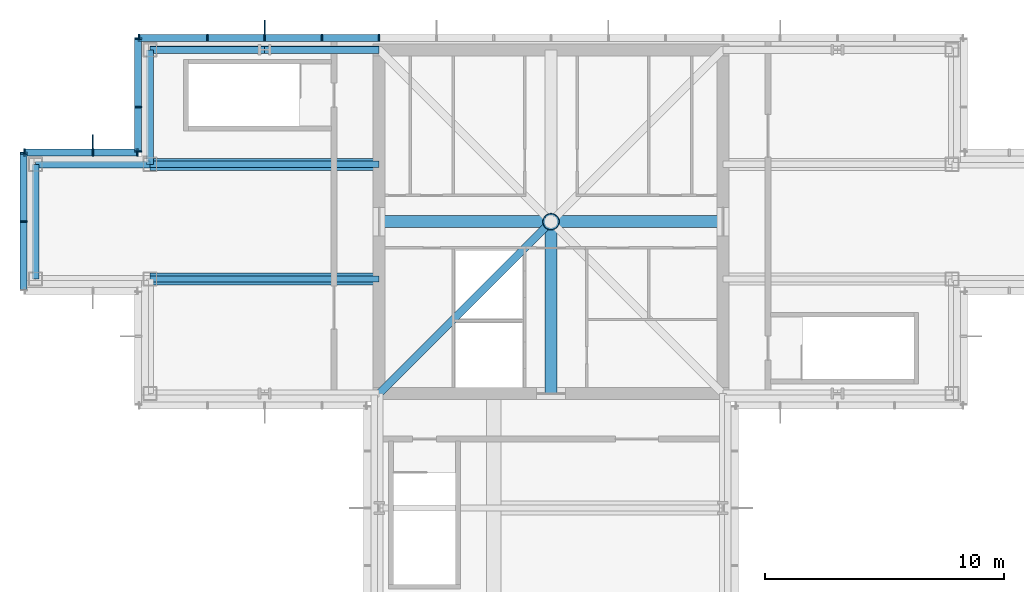
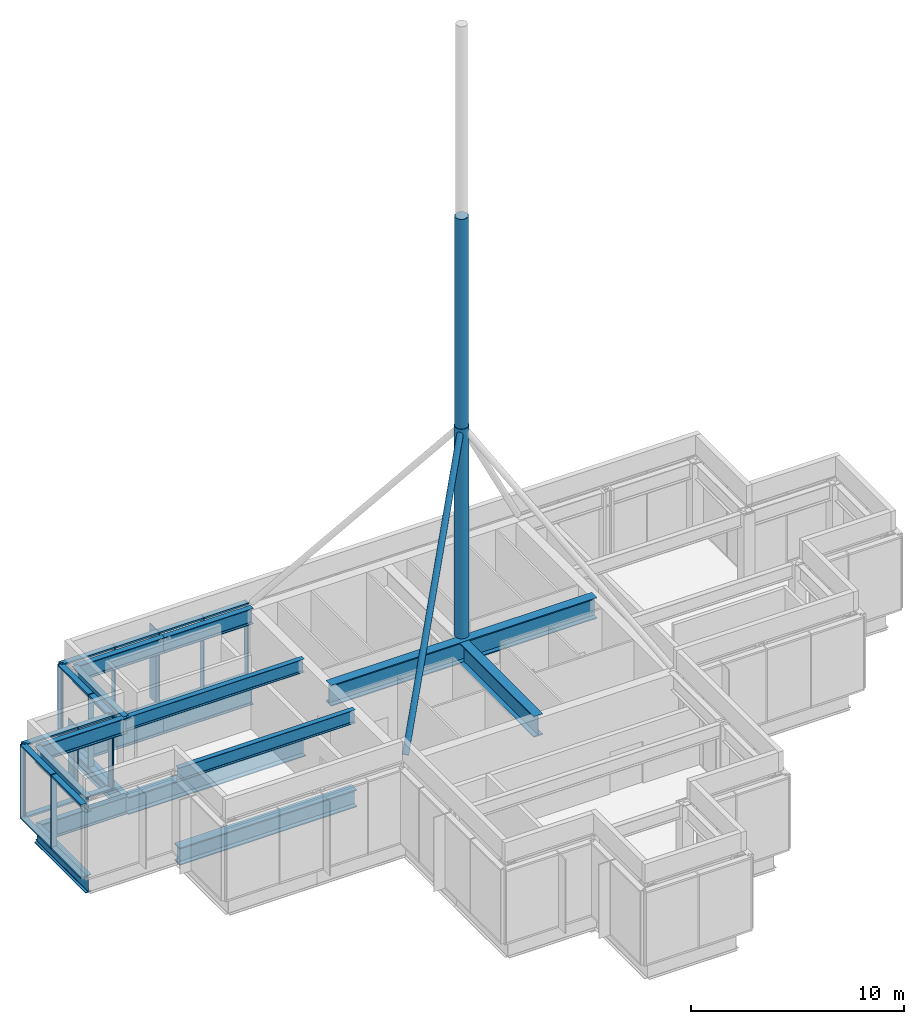
# One storey, part 4 of 10: 38 members, 16 beams, 4 elements without a shape of their own.
"""IFC4 building model written with IfcOpenShell, lengths in metres."""

from ifc_helpers import new_model, entity, si_unit, direction, frame, origin, origin_2d, place, context, subcontext, project, spatial, rectangle, hollow_circle, i_section, extrude, material, material_profile, profile_set, type_object, element, aggregate, save


model = new_model("IFC4")

# Units and contexts
model_context = context("Model", 3, precision=1e-05, world=origin(), true_north=direction((0.0, 1.0)))
body_context = subcontext(model_context, "Body", "Model", "MODEL_VIEW")
ifc_project = project(units=[si_unit("LENGTHUNIT", "METRE"), si_unit("AREAUNIT", "SQUARE_METRE"), si_unit("VOLUMEUNIT", "CUBIC_METRE"), si_unit("PLANEANGLEUNIT", "RADIAN"), si_unit("MASSUNIT", "GRAM", prefix="KILO")], contexts=[model_context])

# Site, building, storey
site_placement = place(None, origin())
site = spatial("IfcSite", under=ifc_project, at=site_placement, CompositionType="ELEMENT")
building_placement = place(site_placement, origin())
building = spatial("IfcBuilding", under=site, at=building_placement, Name="Kvirike Care Tower", CompositionType="ELEMENT")
storey_placement = place(building_placement, frame((0.0, 0.0, 248.0)))
storey = spatial("IfcBuildingStorey", under=building, at=storey_placement, Name="L68", CompositionType="ELEMENT", Elevation=248.0)

# Curtain wall, member
ifc_material_1 = material(Name="Anodised aluminium stick system", Category="aluminium")
curtain_wall_type = type_object("IfcCurtainWallType", Name="CW-L LOUVRED PLANT SCREEN", PredefinedType="NOTDEFINED", material=ifc_material_1)
curtain_wall_1_placement = place(storey_placement, origin())
curtain_wall_1 = element("IfcCurtainWall", 1, at=curtain_wall_1_placement, inside=storey, type_object=curtain_wall_type, Name="Curtain wall L68 face 7", PredefinedType="NOTDEFINED")
ifc_material_2 = material(Name="Bronze anodised aluminium fin", Category="aluminium")
ifc_material_profile_1 = material_profile(ifc_material_2, rectangle(XDim=0.050048828125, YDim=0.60009765625, at=origin_2d()), Name="BRONZE FIN 600")
ifc_profile_set_1 = profile_set([ifc_material_profile_1], Name="Bronze anodised aluminium fin")
member_type_1 = type_object("IfcMemberType", Name="BRONZE FIN 600", PredefinedType="USERDEFINED", material=ifc_profile_set_1)
member_1_placement = place(storey_placement, frame((9.60009765625, 44.14990234375, 0.0), z_axis=(0.0, 0.0, 1.0), x_axis=(-1.0, 0.0, 0.0)))
member_1 = element("IfcMember", 2, at=member_1_placement, type_object=member_type_1, Name="Bronze fin L68 face 7.13", ObjectType="FIN", PredefinedType="USERDEFINED", context=body_context, shape_type="SweptSolid", body=[
    extrude(rectangle(XDim=0.050048828125, YDim=0.60009765625, at=origin_2d()), origin(), (0.0, 0.0, 1.0), 4.25),
])

curtain_wall_2_placement = place(storey_placement, origin())
curtain_wall_2 = element("IfcCurtainWall", 3, at=curtain_wall_2_placement, inside=storey, type_object=curtain_wall_type, Name="Curtain wall L68 face 9", PredefinedType="NOTDEFINED")
member_2_placement = place(storey_placement, frame((2.39990234375, 39.35009765625, 0.0), z_axis=(0.0, 0.0, 1.0), x_axis=(-1.0, 0.0, 0.0)))
member_2 = element("IfcMember", 4, at=member_2_placement, type_object=member_type_1, Name="Bronze fin L68 face 9.2", ObjectType="FIN", PredefinedType="USERDEFINED", context=body_context, shape_type="SweptSolid", body=[
    extrude(rectangle(XDim=0.050048828125, YDim=0.60009765625, at=origin_2d()), origin(), (0.0, 0.0, 1.0), 4.25),
])

# Member
ifc_material_3 = material(Name="Bronze anodised aluminium mullion", Category="aluminium")
ifc_material_profile_2 = material_profile(ifc_material_3, rectangle(XDim=0.06494140625, YDim=0.300048828125, at=origin_2d()), Name="CW-L MULLION 65x300")
ifc_profile_set_2 = profile_set([ifc_material_profile_2], Name="Bronze anodised aluminium mullion")
member_type_2 = type_object("IfcMemberType", Name="CW-L MULLION 65x300", PredefinedType="MULLION", material=ifc_profile_set_2)
member_3_placement = place(storey_placement, frame((14.39990234375, 43.699951171875, 0.0), z_axis=(0.0, 0.0, 1.0), x_axis=(-1.0, 0.0, 0.0)))
member_3 = element("IfcMember", 5, at=member_3_placement, type_object=member_type_2, Name="CW-L mullion L68 face 7.11", PredefinedType="MULLION", context=body_context, shape_type="SweptSolid", body=[
    extrude(rectangle(XDim=0.06494140625, YDim=0.300048828125, at=origin_2d()), origin(), (0.0, 0.0, 1.0), 4.25),
])

member_4_placement = place(storey_placement, frame((12.0, 43.699951171875, 0.0), z_axis=(0.0, 0.0, 1.0), x_axis=(-1.0, 0.0, 0.0)))
member_4 = element("IfcMember", 6, at=member_4_placement, type_object=member_type_2, Name="CW-L mullion L68 face 7.12", PredefinedType="MULLION", context=body_context, shape_type="SweptSolid", body=[
    extrude(rectangle(XDim=0.06494140625, YDim=0.300048828125, at=origin_2d()), origin(), (0.0, 0.0, 1.0), 4.25),
])

member_5_placement = place(storey_placement, frame((9.60009765625, 43.699951171875, 0.0), z_axis=(0.0, 0.0, 1.0), x_axis=(-1.0, 0.0, 0.0)))
member_5 = element("IfcMember", 7, at=member_5_placement, type_object=member_type_2, Name="CW-L mullion L68 face 7.13", PredefinedType="MULLION", context=body_context, shape_type="SweptSolid", body=[
    extrude(rectangle(XDim=0.06494140625, YDim=0.300048828125, at=origin_2d()), origin(), (0.0, 0.0, 1.0), 4.25),
])

member_6_placement = place(storey_placement, frame((7.199951171875, 43.699951171875, 0.0), z_axis=(0.0, 0.0, 1.0), x_axis=(-1.0, 0.0, 0.0)))
member_6 = element("IfcMember", 8, at=member_6_placement, type_object=member_type_2, Name="CW-L mullion L68 face 7.14", PredefinedType="MULLION", context=body_context, shape_type="SweptSolid", body=[
    extrude(rectangle(XDim=0.06494140625, YDim=0.300048828125, at=origin_2d()), origin(), (0.0, 0.0, 1.0), 4.25),
])

member_7_placement = place(storey_placement, frame((4.33251953125, 43.699951171875, 0.0), z_axis=(0.0, 0.0, 1.0), x_axis=(-1.0, 0.0, 0.0)))
member_7 = element("IfcMember", 9, at=member_7_placement, type_object=member_type_2, Name="CW-L mullion L68 face 7.15", PredefinedType="MULLION", context=body_context, shape_type="SweptSolid", body=[
    extrude(rectangle(XDim=0.06494140625, YDim=0.300048828125, at=origin_2d()), origin(), (0.0, 0.0, 1.0), 4.25),
])

# Curtain wall, members
curtain_wall_3_placement = place(storey_placement, origin())
curtain_wall_3 = element("IfcCurtainWall", 10, at=curtain_wall_3_placement, inside=storey, type_object=curtain_wall_type, Name="Curtain wall L68 face 8", PredefinedType="NOTDEFINED")
member_8_placement = place(storey_placement, frame((4.300048828125, 43.66748046875, 0.0), z_axis=(0.0, 0.0, 1.0), x_axis=(0.0, -1.0, 0.0)))
member_8 = element("IfcMember", 11, at=member_8_placement, type_object=member_type_2, Name="CW-L mullion L68 face 8.1", PredefinedType="MULLION", context=body_context, shape_type="SweptSolid", body=[
    extrude(rectangle(XDim=0.06494140625, YDim=0.300048828125, at=origin_2d()), origin(), (0.0, 0.0, 1.0), 4.25),
])
member_9_placement = place(storey_placement, frame((4.300048828125, 40.800048828125, 0.0), z_axis=(0.0, 0.0, 1.0), x_axis=(0.0, -1.0, 0.0)))
member_9 = element("IfcMember", 12, at=member_9_placement, type_object=member_type_2, Name="CW-L mullion L68 face 8.2", PredefinedType="MULLION", context=body_context, shape_type="SweptSolid", body=[
    extrude(rectangle(XDim=0.06494140625, YDim=0.300048828125, at=origin_2d()), origin(), (0.0, 0.0, 1.0), 4.25),
])
member_10_placement = place(storey_placement, frame((4.300048828125, 38.9326171875, 0.0), z_axis=(0.0, 0.0, 1.0), x_axis=(0.0, -1.0, 0.0)))
member_10 = element("IfcMember", 13, at=member_10_placement, type_object=member_type_2, Name="CW-L mullion L68 face 8.3", PredefinedType="MULLION", context=body_context, shape_type="SweptSolid", body=[
    extrude(rectangle(XDim=0.06494140625, YDim=0.300048828125, at=origin_2d()), origin(), (0.0, 0.0, 1.0), 4.25),
])

# Member
member_11_placement = place(storey_placement, frame((4.267578125, 38.89990234375, 0.0), z_axis=(0.0, 0.0, 1.0), x_axis=(-1.0, 0.0, 0.0)))
member_11 = element("IfcMember", 14, at=member_11_placement, type_object=member_type_2, Name="CW-L mullion L68 face 9.1", PredefinedType="MULLION", context=body_context, shape_type="SweptSolid", body=[
    extrude(rectangle(XDim=0.06494140625, YDim=0.300048828125, at=origin_2d()), origin(), (0.0, 0.0, 1.0), 4.25),
])

member_12_placement = place(storey_placement, frame((2.39990234375, 38.89990234375, 0.0), z_axis=(0.0, 0.0, 1.0), x_axis=(-1.0, 0.0, 0.0)))
member_12 = element("IfcMember", 15, at=member_12_placement, type_object=member_type_2, Name="CW-L mullion L68 face 9.2", PredefinedType="MULLION", context=body_context, shape_type="SweptSolid", body=[
    extrude(rectangle(XDim=0.06494140625, YDim=0.300048828125, at=origin_2d()), origin(), (0.0, 0.0, 1.0), 4.25),
])

member_13_placement = place(storey_placement, frame((-0.467529296875, 38.89990234375, 0.0), z_axis=(0.0, 0.0, 1.0), x_axis=(-1.0, 0.0, 0.0)))
member_13 = element("IfcMember", 16, at=member_13_placement, type_object=member_type_2, Name="CW-L mullion L68 face 9.3", PredefinedType="MULLION", context=body_context, shape_type="SweptSolid", body=[
    extrude(rectangle(XDim=0.06494140625, YDim=0.300048828125, at=origin_2d()), origin(), (0.0, 0.0, 1.0), 4.25),
])

# Curtain wall, members
curtain_wall_4_placement = place(storey_placement, origin())
curtain_wall_4 = element("IfcCurtainWall", 17, at=curtain_wall_4_placement, inside=storey, type_object=curtain_wall_type, Name="Curtain wall L68 face 10", PredefinedType="NOTDEFINED")
member_14_placement = place(storey_placement, frame((-0.5, 38.867431640625, 0.0), z_axis=(0.0, 0.0, 1.0), x_axis=(0.0, -1.0, 0.0)))
member_14 = element("IfcMember", 18, at=member_14_placement, type_object=member_type_2, Name="CW-L mullion L68 face 10.1", PredefinedType="MULLION", context=body_context, shape_type="SweptSolid", body=[
    extrude(rectangle(XDim=0.06494140625, YDim=0.300048828125, at=origin_2d()), origin(), (0.0, 0.0, 1.0), 4.25),
])
member_15_placement = place(storey_placement, frame((-0.5, 36.0, 0.0), z_axis=(0.0, 0.0, 1.0), x_axis=(0.0, -1.0, 0.0)))
member_15 = element("IfcMember", 19, at=member_15_placement, type_object=member_type_2, Name="CW-L mullion L68 face 10.2", PredefinedType="MULLION", context=body_context, shape_type="SweptSolid", body=[
    extrude(rectangle(XDim=0.06494140625, YDim=0.300048828125, at=origin_2d()), origin(), (0.0, 0.0, 1.0), 4.25),
])

# Member
ifc_material_4 = material(Name="Bronze anodised aluminium transom", Category="aluminium")
ifc_material_profile_3 = material_profile(ifc_material_4, rectangle(XDim=0.300048828125, YDim=0.10009765625, at=origin_2d()), Name="CW-L TRANSOM 300x100")
ifc_profile_set_3 = profile_set([ifc_material_profile_3], Name="Bronze anodised aluminium transom")
member_type_3 = type_object("IfcMemberType", Name="CW-L TRANSOM 300x100", PredefinedType="USERDEFINED", material=ifc_profile_set_3)
member_16_placement = place(storey_placement, frame((14.367431640625, 43.699951171875, 0.050048828125), z_axis=(-1.0, 0.0, 0.0), x_axis=(0.0, -1.0, 0.0)))
member_16 = element("IfcMember", 20, at=member_16_placement, type_object=member_type_3, Name="CW-L sill transom L68 face 7.11", ObjectType="TRANSOM", PredefinedType="USERDEFINED", context=body_context, shape_type="SweptSolid", body=[
    extrude(rectangle(XDim=0.300048828125, YDim=0.10009765625, at=origin_2d()), origin(), (0.0, 0.0, 1.0), 2.3349609375),
])

member_17_placement = place(storey_placement, frame((14.367431640625, 43.699951171875, 4.199951171875), z_axis=(-1.0, 0.0, 0.0), x_axis=(0.0, -1.0, 0.0)))
member_17 = element("IfcMember", 21, at=member_17_placement, type_object=member_type_3, Name="CW-L head transom L68 face 7.11", ObjectType="TRANSOM", PredefinedType="USERDEFINED", context=body_context, shape_type="SweptSolid", body=[
    extrude(rectangle(XDim=0.300048828125, YDim=0.10009765625, at=origin_2d()), origin(), (0.0, 0.0, 1.0), 2.3349609375),
])

member_18_placement = place(storey_placement, frame((11.967529296875, 43.699951171875, 0.050048828125), z_axis=(-1.0, 0.0, 0.0), x_axis=(0.0, -1.0, 0.0)))
member_18 = element("IfcMember", 22, at=member_18_placement, type_object=member_type_3, Name="CW-L sill transom L68 face 7.12", ObjectType="TRANSOM", PredefinedType="USERDEFINED", context=body_context, shape_type="SweptSolid", body=[
    extrude(rectangle(XDim=0.300048828125, YDim=0.10009765625, at=origin_2d()), origin(), (0.0, 0.0, 1.0), 2.3349609375),
])

member_19_placement = place(storey_placement, frame((11.967529296875, 43.699951171875, 4.199951171875), z_axis=(-1.0, 0.0, 0.0), x_axis=(0.0, -1.0, 0.0)))
member_19 = element("IfcMember", 23, at=member_19_placement, type_object=member_type_3, Name="CW-L head transom L68 face 7.12", ObjectType="TRANSOM", PredefinedType="USERDEFINED", context=body_context, shape_type="SweptSolid", body=[
    extrude(rectangle(XDim=0.300048828125, YDim=0.10009765625, at=origin_2d()), origin(), (0.0, 0.0, 1.0), 2.3349609375),
])

member_20_placement = place(storey_placement, frame((9.5673828125, 43.699951171875, 0.050048828125), z_axis=(-1.0, 0.0, 0.0), x_axis=(0.0, -1.0, 0.0)))
member_20 = element("IfcMember", 24, at=member_20_placement, type_object=member_type_3, Name="CW-L sill transom L68 face 7.13", ObjectType="TRANSOM", PredefinedType="USERDEFINED", context=body_context, shape_type="SweptSolid", body=[
    extrude(rectangle(XDim=0.300048828125, YDim=0.10009765625, at=origin_2d()), origin(), (0.0, 0.0, 1.0), 2.3349609375),
])

member_21_placement = place(storey_placement, frame((9.5673828125, 43.699951171875, 4.199951171875), z_axis=(-1.0, 0.0, 0.0), x_axis=(0.0, -1.0, 0.0)))
member_21 = element("IfcMember", 25, at=member_21_placement, type_object=member_type_3, Name="CW-L head transom L68 face 7.13", ObjectType="TRANSOM", PredefinedType="USERDEFINED", context=body_context, shape_type="SweptSolid", body=[
    extrude(rectangle(XDim=0.300048828125, YDim=0.10009765625, at=origin_2d()), origin(), (0.0, 0.0, 1.0), 2.3349609375),
])

member_22_placement = place(storey_placement, frame((7.16748046875, 43.699951171875, 0.050048828125), z_axis=(-1.0, 0.0, 0.0), x_axis=(0.0, -1.0, 0.0)))
member_22 = element("IfcMember", 26, at=member_22_placement, type_object=member_type_3, Name="CW-L sill transom L68 face 7.14", ObjectType="TRANSOM", PredefinedType="USERDEFINED", context=body_context, shape_type="SweptSolid", body=[
    extrude(rectangle(XDim=0.300048828125, YDim=0.10009765625, at=origin_2d()), origin(), (0.0, 0.0, 1.0), 2.802490234375),
])

member_23_placement = place(storey_placement, frame((7.16748046875, 43.699951171875, 4.199951171875), z_axis=(-1.0, 0.0, 0.0), x_axis=(0.0, -1.0, 0.0)))
member_23 = element("IfcMember", 27, at=member_23_placement, type_object=member_type_3, Name="CW-L head transom L68 face 7.14", ObjectType="TRANSOM", PredefinedType="USERDEFINED", context=body_context, shape_type="SweptSolid", body=[
    extrude(rectangle(XDim=0.300048828125, YDim=0.10009765625, at=origin_2d()), origin(), (0.0, 0.0, 1.0), 2.802490234375),
])

aggregate(curtain_wall_1, [member_3, member_4, member_5, member_1, member_6, member_7, member_16, member_17, member_18, member_19, member_20, member_21, member_22, member_23])

member_24_placement = place(storey_placement, frame((4.300048828125, 43.635009765625, 0.050048828125), z_axis=(0.0, -1.0, 0.0), x_axis=(1.0, 0.0, 0.0)))
member_24 = element("IfcMember", 28, at=member_24_placement, type_object=member_type_3, Name="CW-L sill transom L68 face 8.1", ObjectType="TRANSOM", PredefinedType="USERDEFINED", context=body_context, shape_type="SweptSolid", body=[
    extrude(rectangle(XDim=0.300048828125, YDim=0.10009765625, at=origin_2d()), origin(), (0.0, 0.0, 1.0), 2.802490234375),
])

member_25_placement = place(storey_placement, frame((4.300048828125, 43.635009765625, 4.199951171875), z_axis=(0.0, -1.0, 0.0), x_axis=(1.0, 0.0, 0.0)))
member_25 = element("IfcMember", 29, at=member_25_placement, type_object=member_type_3, Name="CW-L head transom L68 face 8.1", ObjectType="TRANSOM", PredefinedType="USERDEFINED", context=body_context, shape_type="SweptSolid", body=[
    extrude(rectangle(XDim=0.300048828125, YDim=0.10009765625, at=origin_2d()), origin(), (0.0, 0.0, 1.0), 2.802490234375),
])

member_26_placement = place(storey_placement, frame((4.300048828125, 40.767578125, 0.050048828125), z_axis=(0.0, -1.0, 0.0), x_axis=(1.0, 0.0, 0.0)))
member_26 = element("IfcMember", 30, at=member_26_placement, type_object=member_type_3, Name="CW-L sill transom L68 face 8.2", ObjectType="TRANSOM", PredefinedType="USERDEFINED", context=body_context, shape_type="SweptSolid", body=[
    extrude(rectangle(XDim=0.300048828125, YDim=0.10009765625, at=origin_2d()), origin(), (0.0, 0.0, 1.0), 1.802490234375),
])

member_27_placement = place(storey_placement, frame((4.300048828125, 40.767578125, 4.199951171875), z_axis=(0.0, -1.0, 0.0), x_axis=(1.0, 0.0, 0.0)))
member_27 = element("IfcMember", 31, at=member_27_placement, type_object=member_type_3, Name="CW-L head transom L68 face 8.2", ObjectType="TRANSOM", PredefinedType="USERDEFINED", context=body_context, shape_type="SweptSolid", body=[
    extrude(rectangle(XDim=0.300048828125, YDim=0.10009765625, at=origin_2d()), origin(), (0.0, 0.0, 1.0), 1.802490234375),
])

aggregate(curtain_wall_3, [member_8, member_9, member_10, member_24, member_25, member_26, member_27])

member_28_placement = place(storey_placement, frame((4.235107421875, 38.89990234375, 0.050048828125), z_axis=(-1.0, 0.0, 0.0), x_axis=(0.0, -1.0, 0.0)))
member_28 = element("IfcMember", 32, at=member_28_placement, type_object=member_type_3, Name="CW-L sill transom L68 face 9.1", ObjectType="TRANSOM", PredefinedType="USERDEFINED", context=body_context, shape_type="SweptSolid", body=[
    extrude(rectangle(XDim=0.300048828125, YDim=0.10009765625, at=origin_2d()), origin(), (0.0, 0.0, 1.0), 1.802490234375),
])

member_29_placement = place(storey_placement, frame((4.235107421875, 38.89990234375, 4.199951171875), z_axis=(-1.0, 0.0, 0.0), x_axis=(0.0, -1.0, 0.0)))
member_29 = element("IfcMember", 33, at=member_29_placement, type_object=member_type_3, Name="CW-L head transom L68 face 9.1", ObjectType="TRANSOM", PredefinedType="USERDEFINED", context=body_context, shape_type="SweptSolid", body=[
    extrude(rectangle(XDim=0.300048828125, YDim=0.10009765625, at=origin_2d()), origin(), (0.0, 0.0, 1.0), 1.802490234375),
])

member_30_placement = place(storey_placement, frame((2.367431640625, 38.89990234375, 0.050048828125), z_axis=(-1.0, 0.0, 0.0), x_axis=(0.0, -1.0, 0.0)))
member_30 = element("IfcMember", 34, at=member_30_placement, type_object=member_type_3, Name="CW-L sill transom L68 face 9.2", ObjectType="TRANSOM", PredefinedType="USERDEFINED", context=body_context, shape_type="SweptSolid", body=[
    extrude(rectangle(XDim=0.300048828125, YDim=0.10009765625, at=origin_2d()), origin(), (0.0, 0.0, 1.0), 2.802490234375),
])

member_31_placement = place(storey_placement, frame((2.367431640625, 38.89990234375, 4.199951171875), z_axis=(-1.0, 0.0, 0.0), x_axis=(0.0, -1.0, 0.0)))
member_31 = element("IfcMember", 35, at=member_31_placement, type_object=member_type_3, Name="CW-L head transom L68 face 9.2", ObjectType="TRANSOM", PredefinedType="USERDEFINED", context=body_context, shape_type="SweptSolid", body=[
    extrude(rectangle(XDim=0.300048828125, YDim=0.10009765625, at=origin_2d()), origin(), (0.0, 0.0, 1.0), 2.802490234375),
])

aggregate(curtain_wall_2, [member_11, member_12, member_2, member_13, member_28, member_29, member_30, member_31])

member_32_placement = place(storey_placement, frame((-0.5, 38.8349609375, 0.050048828125), z_axis=(0.0, -1.0, 0.0), x_axis=(1.0, 0.0, 0.0)))
member_32 = element("IfcMember", 36, at=member_32_placement, type_object=member_type_3, Name="CW-L sill transom L68 face 10.1", ObjectType="TRANSOM", PredefinedType="USERDEFINED", context=body_context, shape_type="SweptSolid", body=[
    extrude(rectangle(XDim=0.300048828125, YDim=0.10009765625, at=origin_2d()), origin(), (0.0, 0.0, 1.0), 2.802490234375),
])

member_33_placement = place(storey_placement, frame((-0.5, 38.8349609375, 4.199951171875), z_axis=(0.0, -1.0, 0.0), x_axis=(1.0, 0.0, 0.0)))
member_33 = element("IfcMember", 37, at=member_33_placement, type_object=member_type_3, Name="CW-L head transom L68 face 10.1", ObjectType="TRANSOM", PredefinedType="USERDEFINED", context=body_context, shape_type="SweptSolid", body=[
    extrude(rectangle(XDim=0.300048828125, YDim=0.10009765625, at=origin_2d()), origin(), (0.0, 0.0, 1.0), 2.802490234375),
])

member_34_placement = place(storey_placement, frame((-0.5, 35.967529296875, 0.050048828125), z_axis=(0.0, -1.0, 0.0), x_axis=(1.0, 0.0, 0.0)))
member_34 = element("IfcMember", 38, at=member_34_placement, type_object=member_type_3, Name="CW-L sill transom L68 face 10.2", ObjectType="TRANSOM", PredefinedType="USERDEFINED", context=body_context, shape_type="SweptSolid", body=[
    extrude(rectangle(XDim=0.300048828125, YDim=0.10009765625, at=origin_2d()), origin(), (0.0, 0.0, 1.0), 2.802490234375),
])

member_35_placement = place(storey_placement, frame((-0.5, 35.967529296875, 4.199951171875), z_axis=(0.0, -1.0, 0.0), x_axis=(1.0, 0.0, 0.0)))
member_35 = element("IfcMember", 39, at=member_35_placement, type_object=member_type_3, Name="CW-L head transom L68 face 10.2", ObjectType="TRANSOM", PredefinedType="USERDEFINED", context=body_context, shape_type="SweptSolid", body=[
    extrude(rectangle(XDim=0.300048828125, YDim=0.10009765625, at=origin_2d()), origin(), (0.0, 0.0, 1.0), 2.802490234375),
])

aggregate(curtain_wall_4, [member_14, member_15, member_32, member_33, member_34, member_35])

# Beams
ifc_material_5 = material(Name="Steel S355", Category="steel")
ifc_material_profile_4 = material_profile(ifc_material_5, i_section(OverallWidth=0.26708984375, OverallDepth=0.761962890625, WebThickness=0.014404296875, FlangeThickness=0.021484375, FilletRadius=0.01708984375, at=origin_2d()), Name="IPE 750x173")
ifc_profile_set_4 = profile_set([ifc_material_profile_4], Name="Steel S355")
beam_type_1 = type_object("IfcBeamType", Name="FLOOR BEAM IPE 750x173", PredefinedType="BEAM", material=ifc_profile_set_4)
for number, where, z_axis, x_axis, name in (
    (40, (4.800048828125, 33.60009765625, 3.868896484375), (1.0, 0.0, 0.0), (0.0, 1.0, 0.0), "Floor Beam H4-H6 roof"),
    (41, (4.800048828125, 38.39990234375, 3.868896484375), (1.0, 0.0, 0.0), (0.0, 1.0, 0.0), "Floor Beam J4-J6 roof"),
):
    element("IfcBeam", number, at=place(storey_placement, frame(where, z_axis=z_axis, x_axis=x_axis)), inside=storey, type_object=beam_type_1, Name=name, PredefinedType="BEAM", context=body_context, shape_type="SweptSolid", body=[
        extrude(i_section(OverallWidth=0.26708984375, OverallDepth=0.761962890625, WebThickness=0.014404296875, FlangeThickness=0.021484375, FilletRadius=0.01708984375, at=origin_2d()), origin(), (0.0, 0.0, 1.0), 9.599853515625),
    ])
ifc_material_6 = material(Name="Steel S355", Category="steel")
ifc_material_profile_5 = material_profile(ifc_material_6, i_section(OverallWidth=0.5, OverallDepth=1.0, WebThickness=0.030029296875, FlangeThickness=0.06005859375, at=origin_2d()), Name="PG 1000x500x30x60")
ifc_profile_set_5 = profile_set([ifc_material_profile_5], Name="Steel S355")
beam_type_2 = type_object("IfcBeamType", Name="PLANT FLOOR GIRDER PG 1000x500x30x60", PredefinedType="BEAM", material=ifc_profile_set_5)
for number, where, z_axis, x_axis, name in (
    (42, (4.800048828125, 33.60009765625, -0.75), (1.0, 0.0, 0.0), (0.0, 1.0, 0.0), "Plant Floor Girder H4-H6 L68"),
    (43, (4.800048828125, 38.39990234375, -0.75), (1.0, 0.0, 0.0), (0.0, 1.0, 0.0), "Plant Floor Girder J4-J6 L68"),
):
    element("IfcBeam", number, at=place(storey_placement, frame(where, z_axis=z_axis, x_axis=x_axis)), inside=storey, type_object=beam_type_2, Name=name, PredefinedType="BEAM", context=body_context, shape_type="SweptSolid", body=[
        extrude(i_section(OverallWidth=0.5, OverallDepth=1.0, WebThickness=0.030029296875, FlangeThickness=0.06005859375, at=origin_2d()), origin(), (0.0, 0.0, 1.0), 9.599853515625),
    ])
ifc_material_7 = material(Name="Steel S355", Category="steel")
ifc_material_profile_6 = material_profile(ifc_material_7, i_section(OverallWidth=0.302001953125, OverallDepth=1.008056640625, WebThickness=0.02099609375, FlangeThickness=0.0400390625, FilletRadius=0.030029296875, at=origin_2d()), Name="HE 1000 M")
ifc_profile_set_6 = profile_set([ifc_material_profile_6], Name="Steel S355")
beam_type_3 = type_object("IfcBeamType", Name="SPANDREL HE 1000 M", PredefinedType="SPANDREL", material=ifc_profile_set_6)
for number, where, z_axis, x_axis, name in (
    (44, (0.0, 38.39990234375, -0.75390625), (1.0, 0.0, 0.0), (0.0, 1.0, 0.0), "Spandrel J3-J4 L68"),
    (45, (4.800048828125, 43.199951171875, -0.75390625), (1.0, 0.0, 0.0), (0.0, 1.0, 0.0), "Spandrel K4-K5 L68"),
):
    element("IfcBeam", number, at=place(storey_placement, frame(where, z_axis=z_axis, x_axis=x_axis)), inside=storey, type_object=beam_type_3, Name=name, PredefinedType="SPANDREL", context=body_context, shape_type="SweptSolid", body=[
        extrude(i_section(OverallWidth=0.302001953125, OverallDepth=1.008056640625, WebThickness=0.02099609375, FlangeThickness=0.0400390625, FilletRadius=0.030029296875, at=origin_2d()), origin(), (0.0, 0.0, 1.0), 4.800048828125),
    ])
for number, where, z_axis, x_axis, name in (
    (46, (9.60009765625, 43.199951171875, -0.75390625), (1.0, 0.0, 0.0), (0.0, 1.0, 0.0), "Spandrel K5-K6 L68"),
    (47, (0.0, 33.60009765625, -0.75390625), (0.0, 1.0, 0.0), (-1.0, 0.0, 0.0), "Spandrel H3-J3 L68"),
):
    element("IfcBeam", number, at=place(storey_placement, frame(where, z_axis=z_axis, x_axis=x_axis)), inside=storey, type_object=beam_type_3, Name=name, PredefinedType="SPANDREL", context=body_context, shape_type="SweptSolid", body=[
        extrude(i_section(OverallWidth=0.302001953125, OverallDepth=1.008056640625, WebThickness=0.02099609375, FlangeThickness=0.0400390625, FilletRadius=0.030029296875, at=origin_2d()), origin(), (0.0, 0.0, 1.0), 4.7998046875),
    ])
beam_1_placement = place(storey_placement, frame((4.800048828125, 38.39990234375, -0.75390625), z_axis=(0.0, 1.0, 0.0), x_axis=(-1.0, 0.0, 0.0)))
element("IfcBeam", 48, at=beam_1_placement, inside=storey, type_object=beam_type_3, Name="Spandrel J4-K4 L68", PredefinedType="SPANDREL", context=body_context, shape_type="SweptSolid", body=[
    extrude(i_section(OverallWidth=0.302001953125, OverallDepth=1.008056640625, WebThickness=0.02099609375, FlangeThickness=0.0400390625, FilletRadius=0.030029296875, at=origin_2d()), origin(), (0.0, 0.0, 1.0), 4.800048828125),
])
ifc_material_8 = material(Name="Steel S355", Category="steel")
ifc_material_profile_7 = material_profile(ifc_material_8, i_section(OverallWidth=0.300048828125, OverallDepth=0.89990234375, WebThickness=0.0185546875, FlangeThickness=0.034912109375, FilletRadius=0.030029296875, at=origin_2d()), Name="HE 900 B")
ifc_profile_set_7 = profile_set([ifc_material_profile_7], Name="Steel S355")
beam_type_4 = type_object("IfcBeamType", Name="SPANDREL HE 900 B", PredefinedType="SPANDREL", material=ifc_profile_set_7)
for number, where, z_axis, x_axis, name in (
    (49, (0.0, 38.39990234375, 3.800048828125), (1.0, 0.0, 0.0), (0.0, 1.0, 0.0), "Spandrel J3-J4 roof"),
    (50, (4.800048828125, 43.199951171875, 3.800048828125), (1.0, 0.0, 0.0), (0.0, 1.0, 0.0), "Spandrel K4-K5 roof"),
):
    element("IfcBeam", number, at=place(storey_placement, frame(where, z_axis=z_axis, x_axis=x_axis)), inside=storey, type_object=beam_type_4, Name=name, PredefinedType="SPANDREL", context=body_context, shape_type="SweptSolid", body=[
        extrude(i_section(OverallWidth=0.300048828125, OverallDepth=0.89990234375, WebThickness=0.0185546875, FlangeThickness=0.034912109375, FilletRadius=0.030029296875, at=origin_2d()), origin(), (0.0, 0.0, 1.0), 4.800048828125),
    ])
for number, where, z_axis, x_axis, name in (
    (51, (9.60009765625, 43.199951171875, 3.800048828125), (1.0, 0.0, 0.0), (0.0, 1.0, 0.0), "Spandrel K5-K6 roof"),
    (52, (0.0, 33.60009765625, 3.800048828125), (0.0, 1.0, 0.0), (-1.0, 0.0, 0.0), "Spandrel H3-J3 roof"),
):
    element("IfcBeam", number, at=place(storey_placement, frame(where, z_axis=z_axis, x_axis=x_axis)), inside=storey, type_object=beam_type_4, Name=name, PredefinedType="SPANDREL", context=body_context, shape_type="SweptSolid", body=[
        extrude(i_section(OverallWidth=0.300048828125, OverallDepth=0.89990234375, WebThickness=0.0185546875, FlangeThickness=0.034912109375, FilletRadius=0.030029296875, at=origin_2d()), origin(), (0.0, 0.0, 1.0), 4.7998046875),
    ])
beam_2_placement = place(storey_placement, frame((4.800048828125, 38.39990234375, 3.800048828125), z_axis=(0.0, 1.0, 0.0), x_axis=(-1.0, 0.0, 0.0)))
element("IfcBeam", 53, at=beam_2_placement, inside=storey, type_object=beam_type_4, Name="Spandrel J4-K4 roof", PredefinedType="SPANDREL", context=body_context, shape_type="SweptSolid", body=[
    extrude(i_section(OverallWidth=0.300048828125, OverallDepth=0.89990234375, WebThickness=0.0185546875, FlangeThickness=0.034912109375, FilletRadius=0.030029296875, at=origin_2d()), origin(), (0.0, 0.0, 1.0), 4.800048828125),
])
ifc_material_9 = material(Name="Steel S355", Category="steel")
ifc_material_profile_8 = material_profile(ifc_material_9, i_section(OverallWidth=0.5, OverallDepth=1.199951171875, WebThickness=0.030029296875, FlangeThickness=0.06005859375, at=origin_2d()), Name="PG 1200x500x30x60")
ifc_profile_set_8 = profile_set([ifc_material_profile_8], Name="Steel S355")
beam_type_5 = type_object("IfcBeamType", Name="SPIRE BASE GIRDER PG 1200x500x30x60", PredefinedType="BEAM", material=ifc_profile_set_8)
beam_3_placement = place(storey_placement, frame((14.39990234375, 36.0, 3.64990234375), z_axis=(1.0, 0.0, 0.0), x_axis=(0.0, 1.0, 0.0)))
element("IfcBeam", 54, at=beam_3_placement, inside=storey, type_object=beam_type_5, Name="Spire base girder X", PredefinedType="BEAM", context=body_context, shape_type="SweptSolid", body=[
    extrude(i_section(OverallWidth=0.5, OverallDepth=1.199951171875, WebThickness=0.030029296875, FlangeThickness=0.06005859375, at=origin_2d()), origin(), (0.0, 0.0, 1.0), 14.400146484375),
])
beam_4_placement = place(storey_placement, frame((21.60009765625, 28.800048828125, 3.64990234375), z_axis=(0.0, 1.0, 0.0), x_axis=(-1.0, 0.0, 0.0)))
element("IfcBeam", 55, at=beam_4_placement, inside=storey, type_object=beam_type_5, Name="Spire base girder Y1", PredefinedType="BEAM", context=body_context, shape_type="SweptSolid", body=[
    extrude(i_section(OverallWidth=0.5, OverallDepth=1.199951171875, WebThickness=0.030029296875, FlangeThickness=0.06005859375, at=origin_2d()), origin(), (0.0, 0.0, 1.0), 6.949951171875),
])

# Members
ifc_material_10 = material(Name="Steel S355", Category="steel")
ifc_material_profile_9 = material_profile(ifc_material_10, hollow_circle(Radius=0.330078125, WallThickness=0.02490234375, at=origin_2d()), Name="CHS 660x25")
ifc_profile_set_9 = profile_set([ifc_material_profile_9], Name="Steel S355")
member_type_4 = type_object("IfcMemberType", Name="SPIRE MAST CHS 660x25", PredefinedType="MEMBER", material=ifc_profile_set_9)
member_36_placement = place(storey_placement, frame((21.60009765625, 36.0, 16.5), z_axis=(0.0, 0.0, 1.0), x_axis=(1.0, 0.0, 0.0)))
cartesian_point_1 = entity("IfcCartesianPoint", [0.0, 0.0])
ifc_direction_1 = entity("IfcDirection", [0.0, 1.0, 0.0])
element("IfcMember", 56, at=member_36_placement, inside=storey, type_object=member_type_4, Name="Spire mast segment 2", PredefinedType="MEMBER", context=body_context, shape_type="SweptSolid", body=[
    extrude(hollow_circle(Radius=0.330078125, WallThickness=0.02490234375, at=origin_2d()), origin(), (0.0, 0.0, 1.0), 12.0),
    entity("IfcRevolvedAreaSolid", entity("IfcArbitraryClosedProfileDef", "AREA", None, entity("IfcPolyline", [cartesian_point_1, entity("IfcCartesianPoint", [0.3046875, 0.0]), entity("IfcCartesianPoint", [0.3046875, 0.02490234375]), entity("IfcCartesianPoint", [0.0, 0.02490234375]), cartesian_point_1])), entity("IfcAxis2Placement3D", entity("IfcCartesianPoint", [0.0, 0.0, 12.0]), ifc_direction_1, entity("IfcDirection", [1.0, 0.0, 0.0])), entity("IfcAxis1Placement", entity("IfcCartesianPoint", [0.0, 0.0, 0.0]), ifc_direction_1), 6.283185307179586),
])
ifc_material_11 = material(Name="Steel S355", Category="steel")
ifc_material_profile_10 = material_profile(ifc_material_11, hollow_circle(Radius=0.35546875, WallThickness=0.030029296875, at=origin_2d()), Name="CHS 711x30")
ifc_profile_set_10 = profile_set([ifc_material_profile_10], Name="Steel S355")
member_type_5 = type_object("IfcMemberType", Name="SPIRE MAST CHS 711x30", PredefinedType="MEMBER", material=ifc_profile_set_10)
member_37_placement = place(storey_placement, frame((21.60009765625, 36.0, 4.5), z_axis=(0.0, 0.0, 1.0), x_axis=(1.0, 0.0, 0.0)))
cartesian_point_2 = entity("IfcCartesianPoint", [0.0, 0.0])
ifc_direction_2 = entity("IfcDirection", [0.0, 1.0, 0.0])
element("IfcMember", 57, at=member_37_placement, inside=storey, type_object=member_type_5, Name="Spire mast segment 1", PredefinedType="MEMBER", context=body_context, shape_type="SweptSolid", body=[
    extrude(hollow_circle(Radius=0.35546875, WallThickness=0.030029296875, at=origin_2d()), origin(), (0.0, 0.0, 1.0), 12.0),
    entity("IfcRevolvedAreaSolid", entity("IfcArbitraryClosedProfileDef", "AREA", None, entity("IfcPolyline", [cartesian_point_2, entity("IfcCartesianPoint", [0.324951171875, 0.0]), entity("IfcCartesianPoint", [0.324951171875, 0.030029296875]), entity("IfcCartesianPoint", [0.0, 0.030029296875]), cartesian_point_2])), entity("IfcAxis2Placement3D", entity("IfcCartesianPoint", [0.0, 0.0, 12.0]), ifc_direction_2, entity("IfcDirection", [1.0, 0.0, 0.0])), entity("IfcAxis1Placement", entity("IfcCartesianPoint", [0.0, 0.0, 0.0]), ifc_direction_2), 6.283185307179586),
])
ifc_material_12 = material(Name="Steel S355", Category="steel")
ifc_material_profile_11 = material_profile(ifc_material_12, hollow_circle(Radius=0.161865234375, WallThickness=0.012451171875, at=origin_2d()), Name="CHS 323.9x12.5")
ifc_profile_set_11 = profile_set([ifc_material_profile_11], Name="Steel S355")
member_type_6 = type_object("IfcMemberType", Name="SPIRE STAY CHS 323.9x12.5", PredefinedType="STRUT", material=ifc_profile_set_11)
member_38_placement = place(storey_placement, frame((14.39990234375, 28.800048828125, 4.5), z_axis=(0.457506173147, 0.457490660256, 0.762489604723), x_axis=(-0.70709479277, 0.7071187694, 0.0)))
element("IfcMember", 58, at=member_38_placement, inside=storey, type_object=member_type_6, Name="Spire stay 1", PredefinedType="STRUT", context=body_context, shape_type="SweptSolid", body=[
    extrude(hollow_circle(Radius=0.161865234375, WallThickness=0.012451171875, at=origin_2d()), origin(), (0.0, 0.0, 1.0), 15.738037109375),
])

save(model, "model.ifc")
